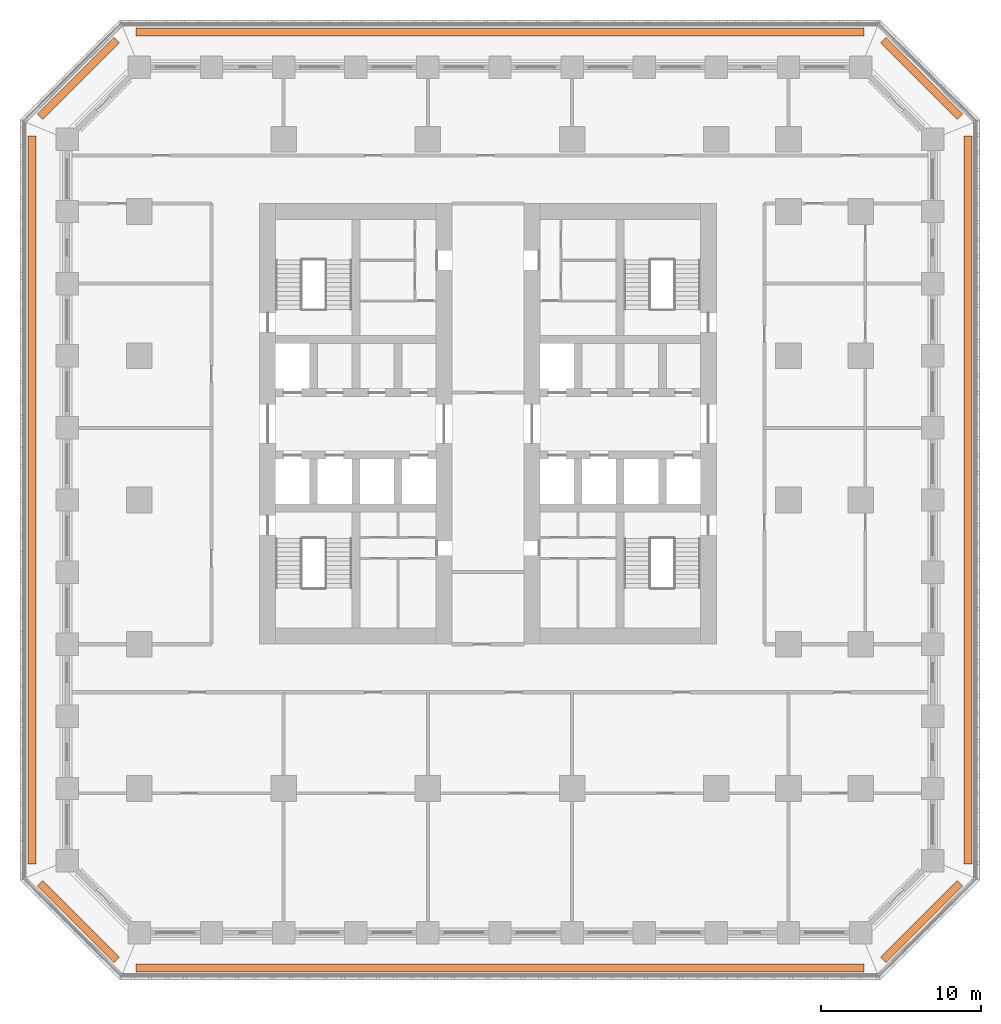
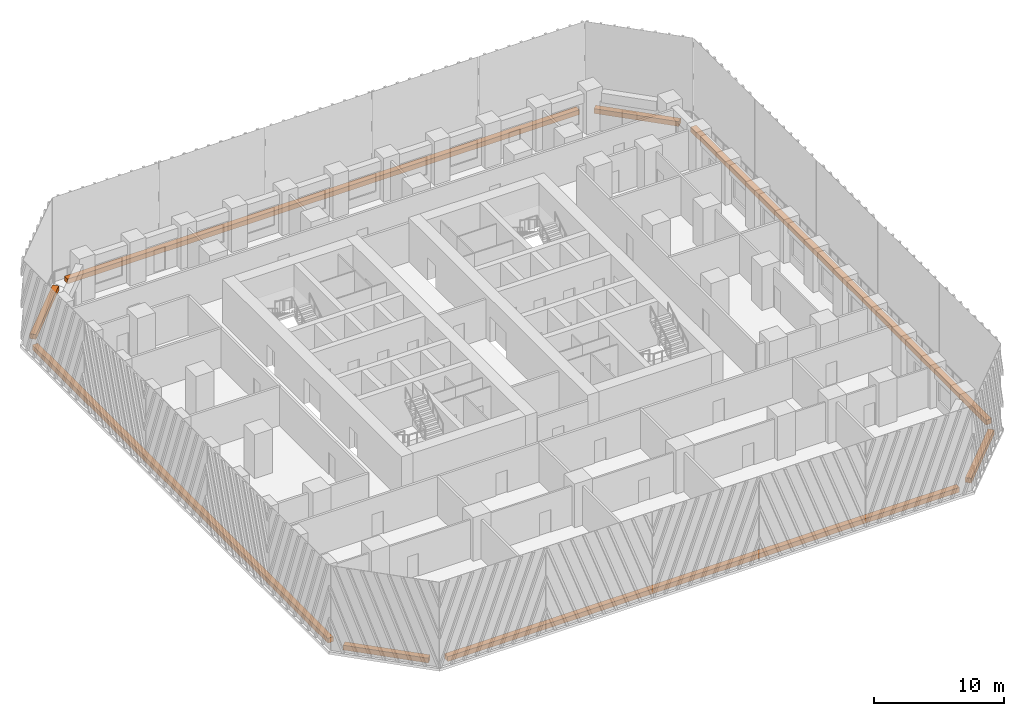
# One storey, part 14 of 14: 8 proxies.
"""IFC4 building model written with IfcOpenShell, lengths in metres."""

from ifc_helpers import new_model, si_unit, direction, frame, origin, origin_2d, place, context, subcontext, project, spatial, rectangle, extrude, material, type_object, element, save


model = new_model("IFC4")

# Units and contexts
model_context = context("Model", 3, precision=1e-05, world=origin(), true_north=direction((0.0, 1.0)))
body_context = subcontext(model_context, "Body", "Model", "MODEL_VIEW")
ifc_project = project(units=[si_unit("LENGTHUNIT", "METRE"), si_unit("AREAUNIT", "SQUARE_METRE"), si_unit("VOLUMEUNIT", "CUBIC_METRE"), si_unit("PLANEANGLEUNIT", "RADIAN"), si_unit("MASSUNIT", "GRAM", prefix="KILO")], contexts=[model_context])

# Site, building, storey
site_placement = place(None, origin())
site = spatial("IfcSite", under=ifc_project, at=site_placement, CompositionType="ELEMENT")
building_placement = place(site_placement, origin())
building = spatial("IfcBuilding", under=site, at=building_placement, Name="Corbel Stack Research Tower", CompositionType="ELEMENT")
storey_placement = place(building_placement, frame((0.0, 0.0, 58.300048828125)))
storey = spatial("IfcBuildingStorey", under=building, at=storey_placement, Name="L13", CompositionType="ELEMENT", Elevation=58.300048828125)

# Proxies
ifc_material = material(Name="Concrete C45/55", Category="concrete")
building_element_proxy_type = type_object("IfcBuildingElementProxyType", Name="Planter box", PredefinedType="USERDEFINED", material=ifc_material)
proxy_1_placement = place(storey_placement, frame((4.5, -29.199951171875, 0.0), z_axis=(0.0, 0.0, 1.0), x_axis=(1.0, 0.0, 0.0)))
element("IfcBuildingElementProxy", 1, at=proxy_1_placement, inside=storey, type_object=building_element_proxy_type, Name="Planter L13 S", ObjectType="PLANTER", PredefinedType="USERDEFINED", context=body_context, shape_type="SweptSolid", body=[
    extrude(rectangle(XDim=45.41064453125, YDim=0.5, at=origin_2d()), origin(), (0.0, 0.0, 1.0), 0.449951171875),
])
proxy_2_placement = place(storey_placement, frame((30.8056640625, -26.3056640625, 0.0), z_axis=(0.0, 0.0, 1.0), x_axis=(0.707106781187, 0.707106781187, 0.0)))
element("IfcBuildingElementProxy", 2, at=proxy_2_placement, inside=storey, type_object=building_element_proxy_type, Name="Planter L13 SE", ObjectType="PLANTER", PredefinedType="USERDEFINED", context=body_context, shape_type="SweptSolid", body=[
    extrude(rectangle(XDim=6.774658203125, YDim=0.5, at=origin_2d()), origin(), (0.0, 0.0, 1.0), 0.449951171875),
])
proxy_3_placement = place(storey_placement, frame((33.699951171875, 0.0, 0.0), z_axis=(0.0, 0.0, 1.0), x_axis=(0.0, 1.0, 0.0)))
element("IfcBuildingElementProxy", 3, at=proxy_3_placement, inside=storey, type_object=building_element_proxy_type, Name="Planter L13 E", ObjectType="PLANTER", PredefinedType="USERDEFINED", context=body_context, shape_type="SweptSolid", body=[
    extrude(rectangle(XDim=45.41064453125, YDim=0.5, at=origin_2d()), origin(), (0.0, 0.0, 1.0), 0.449951171875),
])
proxy_4_placement = place(storey_placement, frame((30.8056640625, 26.3056640625, 0.0), z_axis=(0.0, 0.0, 1.0), x_axis=(-0.707106781187, 0.707106781187, 0.0)))
element("IfcBuildingElementProxy", 4, at=proxy_4_placement, inside=storey, type_object=building_element_proxy_type, Name="Planter L13 NE", ObjectType="PLANTER", PredefinedType="USERDEFINED", context=body_context, shape_type="SweptSolid", body=[
    extrude(rectangle(XDim=6.774658203125, YDim=0.5, at=origin_2d()), origin(), (0.0, 0.0, 1.0), 0.449951171875),
])
proxy_5_placement = place(storey_placement, frame((4.5, 29.199951171875, 0.0), z_axis=(0.0, 0.0, 1.0), x_axis=(-1.0, 0.0, 0.0)))
element("IfcBuildingElementProxy", 5, at=proxy_5_placement, inside=storey, type_object=building_element_proxy_type, Name="Planter L13 N", ObjectType="PLANTER", PredefinedType="USERDEFINED", context=body_context, shape_type="SweptSolid", body=[
    extrude(rectangle(XDim=45.41064453125, YDim=0.5, at=origin_2d()), origin(), (0.0, 0.0, 1.0), 0.449951171875),
])
proxy_6_placement = place(storey_placement, frame((-21.8056640625, 26.3056640625, 0.0), z_axis=(0.0, 0.0, 1.0), x_axis=(-0.707106781187, -0.707106781187, 0.0)))
element("IfcBuildingElementProxy", 6, at=proxy_6_placement, inside=storey, type_object=building_element_proxy_type, Name="Planter L13 NW", ObjectType="PLANTER", PredefinedType="USERDEFINED", context=body_context, shape_type="SweptSolid", body=[
    extrude(rectangle(XDim=6.774658203125, YDim=0.5, at=origin_2d()), origin(), (0.0, 0.0, 1.0), 0.449951171875),
])
proxy_7_placement = place(storey_placement, frame((-24.699951171875, 0.0, 0.0), z_axis=(0.0, 0.0, 1.0), x_axis=(0.0, -1.0, 0.0)))
element("IfcBuildingElementProxy", 7, at=proxy_7_placement, inside=storey, type_object=building_element_proxy_type, Name="Planter L13 W", ObjectType="PLANTER", PredefinedType="USERDEFINED", context=body_context, shape_type="SweptSolid", body=[
    extrude(rectangle(XDim=45.41064453125, YDim=0.5, at=origin_2d()), origin(), (0.0, 0.0, 1.0), 0.449951171875),
])
proxy_8_placement = place(storey_placement, frame((-21.8056640625, -26.3056640625, 0.0), z_axis=(0.0, 0.0, 1.0), x_axis=(0.707106781187, -0.707106781187, 0.0)))
element("IfcBuildingElementProxy", 8, at=proxy_8_placement, inside=storey, type_object=building_element_proxy_type, Name="Planter L13 SW", ObjectType="PLANTER", PredefinedType="USERDEFINED", context=body_context, shape_type="SweptSolid", body=[
    extrude(rectangle(XDim=6.774658203125, YDim=0.5, at=origin_2d()), origin(), (0.0, 0.0, 1.0), 0.449951171875),
])

save(model, "model.ifc")
